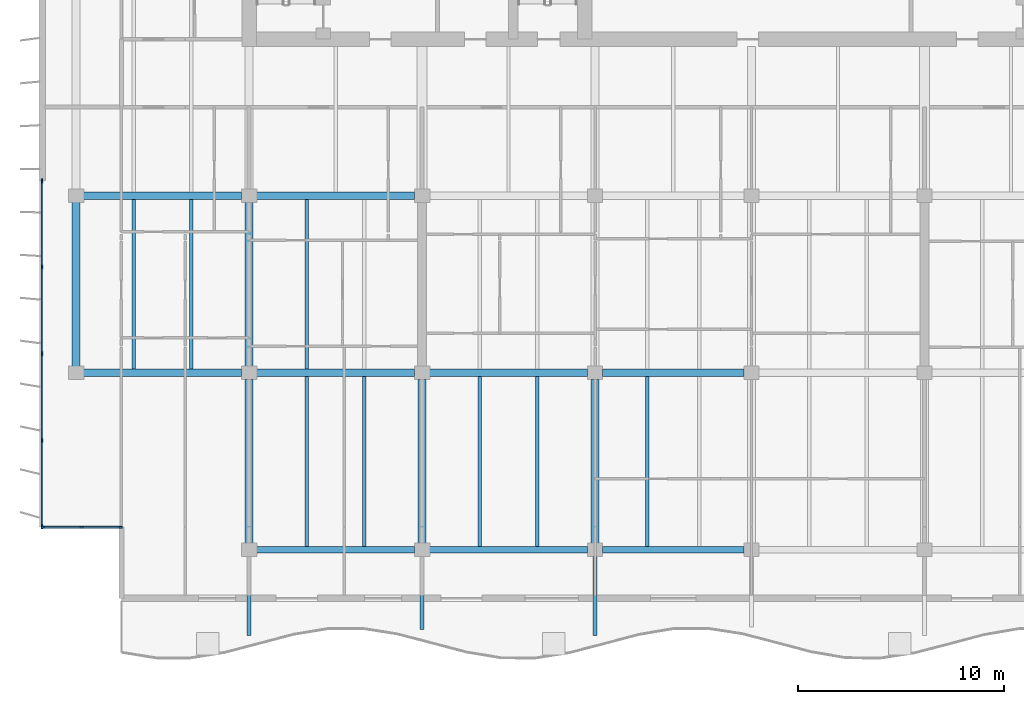
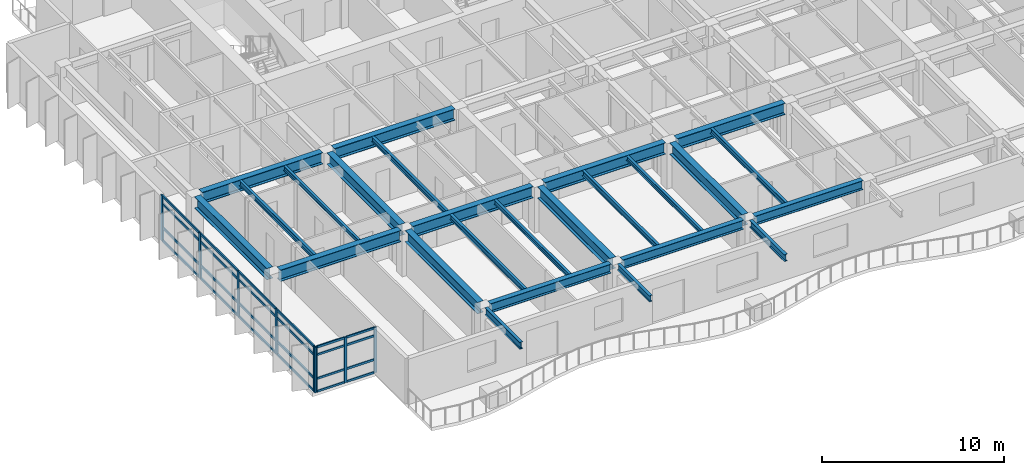
# One storey, part 2 of 17: 32 members, 25 beams, 2 elements without a shape of their own.
"""IFC4 building model written with IfcOpenShell, lengths in metres."""

import ifcopenshell
import ifcopenshell.guid

model = None  # the IFC model being written
_history = None  # IfcOwnerHistory: only IFC2X3 demands one
_inside = {}  # id of a spatial element -> (the spatial element, [elements in it])
_under = {}  # id of a project, library or spatial element -> (it, [spatial elements below it])
_declared = {}  # id of a project -> (the project, [libraries it declares])
_typed = {}  # id of a type object -> (the type object, [elements of that type])
_made_of = {}  # id of a material, layer set ... -> (it, [elements and type objects made of it])


def new_model(schema):
    """Start an empty IFC model of exactly this schema.

    Asked for "IFC4X3", IfcOpenShell would pick the latest addendum, in which some entities
    have other attributes; the version numbers below select the first issue.
    IFC2X3 requires an IfcOwnerHistory on every rooted entity: one is made here for all.
    """
    global model, _history
    if schema == "IFC4X3":
        model = ifcopenshell.file(schema_version=(4, 3, 0, 0))
    else:
        model = ifcopenshell.file(schema=schema)
    _inside.clear()
    _under.clear()
    _declared.clear()
    _typed.clear()
    _made_of.clear()
    _history = None
    if model.schema == "IFC2X3":
        org = make("IfcOrganization", Name="unknown")
        user = make(
            "IfcPersonAndOrganization",
            ThePerson=make("IfcPerson", FamilyName="unknown"),
            TheOrganization=org,
        )
        app = make(
            "IfcApplication",
            ApplicationDeveloper=org,
            Version="unknown",
            ApplicationFullName="unknown",
            ApplicationIdentifier="unknown",
        )
        _history = make(
            "IfcOwnerHistory",
            OwningUser=user,
            OwningApplication=app,
            ChangeAction="ADDED",
            CreationDate=0,
        )
    return model


def make(cls, **values):
    """One entity of the class cls with the attributes given. An attribute that is None is left unset."""
    return model.create_entity(
        cls, **{name: value for name, value in values.items() if value is not None}
    )


def rooted(cls, **values):
    """An entity with a GlobalId (a new one), such as an element, a storey or a relation."""
    return make(cls, GlobalId=ifcopenshell.guid.new(), OwnerHistory=_history, **values)


def si_unit(unit_type, name, prefix=None):
    """IfcSIUnit, for example si_unit("LENGTHUNIT", "METRE", prefix="MILLI")."""
    return make("IfcSIUnit", UnitType=unit_type, Prefix=prefix, Name=name)


def assignment(units):
    """IfcUnitAssignment: the units of a project."""
    return None if units is None else make("IfcUnitAssignment", Units=units)


def point(xyz):
    """IfcCartesianPoint."""
    return None if xyz is None else make("IfcCartesianPoint", Coordinates=xyz)


def direction(xyz):
    """IfcDirection."""
    return None if xyz is None else make("IfcDirection", DirectionRatios=xyz)


def frame(location, z_axis=None, x_axis=None):
    """IfcAxis2Placement3D, a coordinate frame: its origin and axes. An axis left out is left unset."""
    return make(
        "IfcAxis2Placement3D",
        Location=point(location),
        Axis=direction(z_axis),
        RefDirection=direction(x_axis),
    )


def frame_2d(location, x_axis=None):
    """IfcAxis2Placement2D, a coordinate frame in the plane: its origin and x axis."""
    return make(
        "IfcAxis2Placement2D", Location=point(location), RefDirection=direction(x_axis)
    )


def origin():
    """The frame at (0, 0, 0) with its axes left unset."""
    return frame((0.0, 0.0, 0.0))


def origin_2d():
    """The frame at (0, 0) in the plane with its x axis left unset."""
    return frame_2d((0.0, 0.0))


def place(relative_to, where):
    """IfcLocalPlacement: puts the frame where relative to a parent placement (None: the world)."""
    return make(
        "IfcLocalPlacement", PlacementRelTo=relative_to, RelativePlacement=where
    )


def context(
    kind, dimensions, precision=None, world=None, true_north=None, identifier=None
):
    """IfcGeometricRepresentationContext, for example the 3D "Model" context."""
    return make(
        "IfcGeometricRepresentationContext",
        ContextIdentifier=identifier,
        ContextType=kind,
        CoordinateSpaceDimension=dimensions,
        Precision=precision,
        WorldCoordinateSystem=world,
        TrueNorth=true_north,
    )


def subcontext(parent, identifier, kind, view, scale=None):
    """IfcGeometricRepresentationSubContext, for example "Body" below "Model"."""
    return make(
        "IfcGeometricRepresentationSubContext",
        ContextIdentifier=identifier,
        ContextType=kind,
        ParentContext=parent,
        TargetScale=scale,
        TargetView=view,
    )


def project(units=None, contexts=None):
    """IfcProject with its units and contexts."""
    return rooted(
        "IfcProject",
        Name="project",
        RepresentationContexts=contexts,
        UnitsInContext=assignment(units),
    )


def spatial(cls, under=None, at=None, **own):
    """A site, building, storey or space (cls), placed at a placement, below another one or the project."""
    s = rooted(cls, ObjectPlacement=at, **own)
    if under is not None:
        _under.setdefault(under.id(), (under, []))[1].append(s)
    return s


def profile(cls, at=None, kind="AREA", **sizes):
    """A parametric profile (cls). Its sizes go by their IFC names, for example OverallWidth=200.0."""
    return make(cls, ProfileType=kind, Position=at, **sizes)


def rectangle(**sizes):
    """IfcRectangleProfileDef."""
    return profile("IfcRectangleProfileDef", **sizes)


def i_section(**sizes):
    """IfcIShapeProfileDef."""
    return profile("IfcIShapeProfileDef", **sizes)


def extrude(swept, where, along, depth):
    """IfcExtrudedAreaSolid: the profile swept, set in the frame where, extruded along a direction by depth."""
    return make(
        "IfcExtrudedAreaSolid",
        SweptArea=swept,
        Position=where,
        ExtrudedDirection=direction(along),
        Depth=depth,
    )


def shape(context_of_items, identifier, shape_type, items):
    """IfcShapeRepresentation: the items that make up one representation, for example the "Body"."""
    return make(
        "IfcShapeRepresentation",
        ContextOfItems=context_of_items,
        RepresentationIdentifier=identifier,
        RepresentationType=shape_type,
        Items=items,
    )


def material(Name=None, Category=None):
    """IfcMaterial."""
    return make("IfcMaterial", Name=Name, Category=Category)


def layer(
    of_material, thickness, ventilated=None, Name=None, Category=None, Priority=None
):
    """IfcMaterialLayer: one layer of a wall or slab, of a material (None: an air gap)."""
    return make(
        "IfcMaterialLayer",
        Material=of_material,
        LayerThickness=thickness,
        IsVentilated=ventilated,
        Name=Name,
        Category=Category,
        Priority=Priority,
    )


def layer_set(layers, Name=None):
    """IfcMaterialLayerSet."""
    return make("IfcMaterialLayerSet", MaterialLayers=layers, LayerSetName=Name)


def material_profile(
    of_material, cross_section, Name=None, Category=None, Priority=None
):
    """IfcMaterialProfile: a cross section and its material."""
    return make(
        "IfcMaterialProfile",
        Name=Name,
        Material=of_material,
        Profile=cross_section,
        Priority=Priority,
        Category=Category,
    )


def profile_set(profiles, Name=None, composite=None):
    """IfcMaterialProfileSet."""
    return make(
        "IfcMaterialProfileSet",
        Name=Name,
        MaterialProfiles=profiles,
        CompositeProfile=composite,
    )


def made_of(thing, what):
    """Note that an element or type object is made of a material, layer set ...; save() writes the relation."""
    if what is not None:
        _made_of.setdefault(what.id(), (what, []))[1].append(thing)
    return thing


def type_object(cls, material=None, **own):
    """A type object (cls), such as IfcWallType, which elements share."""
    return made_of(rooted(cls, **own), material)


def element(
    cls,
    number,
    at=None,
    inside=None,
    cuts=None,
    type_object=None,
    material=None,
    context=None,
    identifier="Body",
    shape_type=None,
    held_by="IfcProductDefinitionShape",
    body=None,
    shapes=None,
    **own,
):
    """One element of the class cls, such as IfcWall. Its Tag is "e" and its number.

    at: its placement. inside: the storey or other place that contains it. cuts: it is an
    opening in that element (IfcRelVoidsElement). A single representation is given by context,
    identifier, shape_type and body (its items); several are given by shapes. held_by: the class
    of the entity that holds the representations. save() writes the other relations.
    """
    e = rooted(cls, Tag="e%d" % number, ObjectPlacement=at, **own)
    if body is not None:
        shapes = [shape(context, identifier, shape_type, body)]
    if shapes is not None:
        e.Representation = make(held_by, Representations=shapes)
    if inside is not None:
        _inside.setdefault(inside.id(), (inside, []))[1].append(e)
    if cuts is not None:
        rooted(
            "IfcRelVoidsElement", RelatingBuildingElement=cuts, RelatedOpeningElement=e
        )
    if type_object is not None:
        _typed.setdefault(type_object.id(), (type_object, []))[1].append(e)
    return made_of(e, material)


def aggregate(whole, parts):
    """IfcRelAggregates: a whole, such as a stair, and the parts it consists of."""
    return rooted("IfcRelAggregates", RelatingObject=whole, RelatedObjects=parts)


def save(model, path):
    """Write the relations noted so far, then the file.

    IfcRelAggregates (storeys below a building ...), IfcRelContainedInSpatialStructure (elements
    in a storey), IfcRelDefinesByType, IfcRelAssociatesMaterial and IfcRelDeclares: one each for
    every whole, place, type object, material and project.
    """
    for whole, parts in _under.values():
        aggregate(whole, parts)
    for where, things in _inside.values():
        rooted(
            "IfcRelContainedInSpatialStructure",
            RelatedElements=things,
            RelatingStructure=where,
        )
    for kind, things in _typed.values():
        rooted("IfcRelDefinesByType", RelatedObjects=things, RelatingType=kind)
    for what, things in _made_of.values():
        rooted("IfcRelAssociatesMaterial", RelatedObjects=things, RelatingMaterial=what)
    for by, libraries in _declared.values():
        rooted("IfcRelDeclares", RelatingContext=by, RelatedDefinitions=libraries)
    model.write(path)


model = new_model("IFC4")

# Units and contexts
model_context = context("Model", 3, precision=1e-05, world=origin(), true_north=direction((0.0, 1.0)))
body_context = subcontext(model_context, "Body", "Model", "MODEL_VIEW")
ifc_project = project(units=[si_unit("LENGTHUNIT", "METRE"), si_unit("AREAUNIT", "SQUARE_METRE"), si_unit("VOLUMEUNIT", "CUBIC_METRE"), si_unit("PLANEANGLEUNIT", "RADIAN"), si_unit("MASSUNIT", "GRAM", prefix="KILO")], contexts=[model_context])

# Site, building, storey
site_placement = place(None, origin())
site = spatial("IfcSite", under=ifc_project, at=site_placement, CompositionType="ELEMENT")
building_placement = place(site_placement, origin())
building = spatial("IfcBuilding", under=site, at=building_placement, Name="Caelmar Bay Residences", CompositionType="ELEMENT")
storey_placement = place(building_placement, frame((0.0, 0.0, 243.0)))
storey = spatial("IfcBuildingStorey", under=building, at=storey_placement, Name="L68", CompositionType="ELEMENT", Elevation=243.0)

# Beams
ifc_material_1 = material(Name="Steel ASTM A992 Grade 50", Category="steel")
ifc_material_profile_1 = material_profile(ifc_material_1, i_section(OverallWidth=0.177978515625, OverallDepth=0.406005859375, WebThickness=0.0078125, FlangeThickness=0.0126953125, FilletRadius=0.0087890625, at=origin_2d()), Name="W16X40")
ifc_profile_set_1 = profile_set([ifc_material_profile_1], Name="Steel ASTM A992 Grade 50")
beam_type_1 = type_object("IfcBeamType", Name="BM-BAL-W16X40", PredefinedType="JOIST", material=ifc_profile_set_1)
beam_1_placement = place(storey_placement, frame((26.699951171875, 11.885009765625, 2.846923828125), z_axis=(0.0, -1.0, 0.0), x_axis=(1.0, 0.0, 0.0)))
element("IfcBeam", 1, at=beam_1_placement, inside=storey, type_object=beam_type_1, Name="L69 South Balcony Cantilever Bracket 2", PredefinedType="JOIST", context=body_context, shape_type="SweptSolid", body=[
    extrude(i_section(OverallWidth=0.177978515625, OverallDepth=0.406005859375, WebThickness=0.0078125, FlangeThickness=0.0126953125, FilletRadius=0.0087890625, at=origin_2d()), origin(), (0.0, 0.0, 1.0), 3.55517578125),
])
ifc_material_profile_2 = material_profile(ifc_material_1, i_section(OverallWidth=0.193115234375, OverallDepth=0.467041015625, WebThickness=0.011474609375, FlangeThickness=0.01904296875, FilletRadius=0.01025390625, at=origin_2d()), Name="W18X65")
ifc_profile_set_2 = profile_set([ifc_material_profile_2], Name="Steel ASTM A992 Grade 50")
beam_type_2 = type_object("IfcBeamType", Name="BM-BAL-W18X65", PredefinedType="BEAM", material=ifc_profile_set_2)
for number, where, z_axis, x_axis, name in (
    (2, (18.300048828125, 11.885009765625, 2.81640625), (0.0, -1.0, 0.0), (1.0, 0.0, 0.0), "L69 South Balcony Cantilever Bracket 1"),
    (3, (35.10009765625, 11.885009765625, 2.81640625), (0.0, -1.0, 0.0), (1.0, 0.0, 0.0), "L69 South Balcony Cantilever Bracket 3"),
):
    element("IfcBeam", number, at=place(storey_placement, frame(where, z_axis=z_axis, x_axis=x_axis)), inside=storey, type_object=beam_type_2, Name=name, PredefinedType="BEAM", context=body_context, shape_type="SweptSolid", body=[
        extrude(i_section(OverallWidth=0.193115234375, OverallDepth=0.467041015625, WebThickness=0.011474609375, FlangeThickness=0.01904296875, FilletRadius=0.01025390625, at=origin_2d()), origin(), (0.0, 0.0, 1.0), 3.85009765625),
    ])
ifc_material_profile_3 = material_profile(ifc_material_1, i_section(OverallWidth=0.381103515625, OverallDepth=0.77197265625, WebThickness=0.0166015625, FlangeThickness=0.027099609375, FilletRadius=0.0166015625, at=origin_2d()), Name="W30X173")
ifc_profile_set_3 = profile_set([ifc_material_profile_3], Name="Steel ASTM A992 Grade 50")
beam_type_3 = type_object("IfcBeamType", Name="BM-GRD-W30X173", PredefinedType="BEAM", material=ifc_profile_set_3)
beam_2_placement = place(storey_placement, frame((10.264892578125, 20.800048828125, 2.6640625), z_axis=(1.0, 0.0, 0.0), x_axis=(0.0, 1.0, 0.0)))
element("IfcBeam", 4, at=beam_2_placement, inside=storey, type_object=beam_type_3, Name="L68 East-West Girder Y=20.80 (9.9-18.3)", PredefinedType="BEAM", context=body_context, shape_type="SweptSolid", body=[
    extrude(i_section(OverallWidth=0.381103515625, OverallDepth=0.77197265625, WebThickness=0.0166015625, FlangeThickness=0.027099609375, FilletRadius=0.0166015625, at=origin_2d()), origin(), (0.0, 0.0, 1.0), 7.670166015625),
])
beam_3_placement = place(storey_placement, frame((18.6650390625, 20.800048828125, 2.6640625), z_axis=(1.0, 0.0, 0.0), x_axis=(0.0, 1.0, 0.0)))
element("IfcBeam", 5, at=beam_3_placement, inside=storey, type_object=beam_type_3, Name="L68 East-West Girder Y=20.80 (18.3-26.7)", PredefinedType="BEAM", context=body_context, shape_type="SweptSolid", body=[
    extrude(i_section(OverallWidth=0.381103515625, OverallDepth=0.77197265625, WebThickness=0.0166015625, FlangeThickness=0.027099609375, FilletRadius=0.0166015625, at=origin_2d()), origin(), (0.0, 0.0, 1.0), 7.669921875),
])
beam_4_placement = place(storey_placement, frame((27.06494140625, 20.800048828125, 2.6640625), z_axis=(1.0, 0.0, 0.0), x_axis=(0.0, 1.0, 0.0)))
element("IfcBeam", 6, at=beam_4_placement, inside=storey, type_object=beam_type_3, Name="L68 East-West Girder Y=20.80 (26.7-35.1)", PredefinedType="BEAM", context=body_context, shape_type="SweptSolid", body=[
    extrude(i_section(OverallWidth=0.381103515625, OverallDepth=0.77197265625, WebThickness=0.0166015625, FlangeThickness=0.027099609375, FilletRadius=0.0166015625, at=origin_2d()), origin(), (0.0, 0.0, 1.0), 7.670166015625),
])
beam_5_placement = place(storey_placement, frame((35.465087890625, 20.800048828125, 2.6640625), z_axis=(1.0, 0.0, 0.0), x_axis=(0.0, 1.0, 0.0)))
element("IfcBeam", 7, at=beam_5_placement, inside=storey, type_object=beam_type_3, Name="L68 East-West Girder Y=20.80 (35.1-42.7)", PredefinedType="BEAM", context=body_context, shape_type="SweptSolid", body=[
    extrude(i_section(OverallWidth=0.381103515625, OverallDepth=0.77197265625, WebThickness=0.0166015625, FlangeThickness=0.027099609375, FilletRadius=0.0166015625, at=origin_2d()), origin(), (0.0, 0.0, 1.0), 6.869873046875),
])
beam_6_placement = place(storey_placement, frame((10.264892578125, 29.39990234375, 2.6640625), z_axis=(1.0, 0.0, 0.0), x_axis=(0.0, 1.0, 0.0)))
element("IfcBeam", 8, at=beam_6_placement, inside=storey, type_object=beam_type_3, Name="L68 East-West Girder Y=29.40 (9.9-18.3)", PredefinedType="BEAM", context=body_context, shape_type="SweptSolid", body=[
    extrude(i_section(OverallWidth=0.381103515625, OverallDepth=0.77197265625, WebThickness=0.0166015625, FlangeThickness=0.027099609375, FilletRadius=0.0166015625, at=origin_2d()), origin(), (0.0, 0.0, 1.0), 7.670166015625),
])
beam_7_placement = place(storey_placement, frame((18.6650390625, 29.39990234375, 2.6640625), z_axis=(1.0, 0.0, 0.0), x_axis=(0.0, 1.0, 0.0)))
element("IfcBeam", 9, at=beam_7_placement, inside=storey, type_object=beam_type_3, Name="L68 East-West Girder Y=29.40 (18.3-26.7)", PredefinedType="BEAM", context=body_context, shape_type="SweptSolid", body=[
    extrude(i_section(OverallWidth=0.381103515625, OverallDepth=0.77197265625, WebThickness=0.0166015625, FlangeThickness=0.027099609375, FilletRadius=0.0166015625, at=origin_2d()), origin(), (0.0, 0.0, 1.0), 7.669921875),
])
beam_8_placement = place(storey_placement, frame((9.89990234375, 21.114990234375, 2.6640625), z_axis=(0.0, 1.0, 0.0), x_axis=(-1.0, 0.0, 0.0)))
element("IfcBeam", 10, at=beam_8_placement, inside=storey, type_object=beam_type_3, Name="L68 North-South Girder X=9.90 (20.8-29.4)", PredefinedType="BEAM", context=body_context, shape_type="SweptSolid", body=[
    extrude(i_section(OverallWidth=0.381103515625, OverallDepth=0.77197265625, WebThickness=0.0166015625, FlangeThickness=0.027099609375, FilletRadius=0.0166015625, at=origin_2d()), origin(), (0.0, 0.0, 1.0), 7.969970703125),
])
beam_9_placement = place(storey_placement, frame((18.300048828125, 12.514892578125, 2.6640625), z_axis=(0.0, 1.0, 0.0), x_axis=(-1.0, 0.0, 0.0)))
element("IfcBeam", 11, at=beam_9_placement, inside=storey, type_object=beam_type_3, Name="L68 North-South Girder X=18.30 (12.2-20.8)", PredefinedType="BEAM", context=body_context, shape_type="SweptSolid", body=[
    extrude(i_section(OverallWidth=0.381103515625, OverallDepth=0.77197265625, WebThickness=0.0166015625, FlangeThickness=0.027099609375, FilletRadius=0.0166015625, at=origin_2d()), origin(), (0.0, 0.0, 1.0), 7.97021484375),
])
beam_10_placement = place(storey_placement, frame((18.300048828125, 21.114990234375, 2.6640625), z_axis=(0.0, 1.0, 0.0), x_axis=(-1.0, 0.0, 0.0)))
element("IfcBeam", 12, at=beam_10_placement, inside=storey, type_object=beam_type_3, Name="L68 North-South Girder X=18.30 (20.8-29.4)", PredefinedType="BEAM", context=body_context, shape_type="SweptSolid", body=[
    extrude(i_section(OverallWidth=0.381103515625, OverallDepth=0.77197265625, WebThickness=0.0166015625, FlangeThickness=0.027099609375, FilletRadius=0.0166015625, at=origin_2d()), origin(), (0.0, 0.0, 1.0), 7.969970703125),
])
for number, where, z_axis, x_axis, name in (
    (13, (26.699951171875, 12.514892578125, 2.6640625), (0.0, 1.0, 0.0), (-1.0, 0.0, 0.0), "L68 North-South Girder X=26.70 (12.2-20.8)"),
    (14, (35.10009765625, 12.514892578125, 2.6640625), (0.0, 1.0, 0.0), (-1.0, 0.0, 0.0), "L68 North-South Girder X=35.10 (12.2-20.8)"),
):
    element("IfcBeam", number, at=place(storey_placement, frame(where, z_axis=z_axis, x_axis=x_axis)), inside=storey, type_object=beam_type_3, Name=name, PredefinedType="BEAM", context=body_context, shape_type="SweptSolid", body=[
        extrude(i_section(OverallWidth=0.381103515625, OverallDepth=0.77197265625, WebThickness=0.0166015625, FlangeThickness=0.027099609375, FilletRadius=0.0166015625, at=origin_2d()), origin(), (0.0, 0.0, 1.0), 7.97021484375),
    ])
ifc_material_profile_4 = material_profile(ifc_material_1, i_section(OverallWidth=0.1650390625, OverallDepth=0.31005859375, WebThickness=0.005859375, FlangeThickness=0.009765625, FilletRadius=0.007568359375, at=origin_2d()), Name="W12X26")
ifc_profile_set_4 = profile_set([ifc_material_profile_4], Name="Steel ASTM A992 Grade 50")
beam_type_4 = type_object("IfcBeamType", Name="BM-JST-W12X26", PredefinedType="JOIST", material=ifc_profile_set_4)
for number, where, z_axis, x_axis, name in (
    (15, (23.89990234375, 12.362548828125, 2.89501953125), (0.0, 1.0, 0.0), (-1.0, 0.0, 0.0), "L68 Composite Floor Joist 2"),
    (16, (32.300048828125, 12.362548828125, 2.89501953125), (0.0, 1.0, 0.0), (-1.0, 0.0, 0.0), "L68 Composite Floor Joist 4"),
):
    element("IfcBeam", number, at=place(storey_placement, frame(where, z_axis=z_axis, x_axis=x_axis)), inside=storey, type_object=beam_type_4, Name=name, PredefinedType="JOIST", context=body_context, shape_type="SweptSolid", body=[
        extrude(i_section(OverallWidth=0.1650390625, OverallDepth=0.31005859375, WebThickness=0.005859375, FlangeThickness=0.009765625, FilletRadius=0.007568359375, at=origin_2d()), origin(), (0.0, 0.0, 1.0), 8.2470703125),
    ])
beam_11_placement = place(storey_placement, frame((15.5, 20.990478515625, 2.89501953125), z_axis=(0.0, 1.0, 0.0), x_axis=(-1.0, 0.0, 0.0)))
element("IfcBeam", 17, at=beam_11_placement, inside=storey, type_object=beam_type_4, Name="L68 Composite Floor Joist 12", PredefinedType="JOIST", context=body_context, shape_type="SweptSolid", body=[
    extrude(i_section(OverallWidth=0.1650390625, OverallDepth=0.31005859375, WebThickness=0.005859375, FlangeThickness=0.009765625, FilletRadius=0.007568359375, at=origin_2d()), origin(), (0.0, 0.0, 1.0), 8.218994140625),
])
ifc_material_profile_5 = material_profile(ifc_material_1, i_section(OverallWidth=0.1708984375, OverallDepth=0.35595703125, WebThickness=0.007080078125, FlangeThickness=0.01171875, FilletRadius=0.007568359375, at=origin_2d()), Name="W14X34")
ifc_profile_set_5 = profile_set([ifc_material_profile_5], Name="Steel ASTM A992 Grade 50")
beam_type_5 = type_object("IfcBeamType", Name="BM-JST-W14X34", PredefinedType="JOIST", material=ifc_profile_set_5)
for number, where, z_axis, x_axis, name in (
    (18, (21.10009765625, 12.362548828125, 2.8720703125), (0.0, 1.0, 0.0), (-1.0, 0.0, 0.0), "L68 Composite Floor Joist 1"),
    (19, (29.5, 12.362548828125, 2.8720703125), (0.0, 1.0, 0.0), (-1.0, 0.0, 0.0), "L68 Composite Floor Joist 3"),
    (20, (37.63330078125, 12.362548828125, 2.8720703125), (0.0, 1.0, 0.0), (-1.0, 0.0, 0.0), "L68 Composite Floor Joist 5"),
):
    element("IfcBeam", number, at=place(storey_placement, frame(where, z_axis=z_axis, x_axis=x_axis)), inside=storey, type_object=beam_type_5, Name=name, PredefinedType="JOIST", context=body_context, shape_type="SweptSolid", body=[
        extrude(i_section(OverallWidth=0.1708984375, OverallDepth=0.35595703125, WebThickness=0.007080078125, FlangeThickness=0.01171875, FilletRadius=0.007568359375, at=origin_2d()), origin(), (0.0, 0.0, 1.0), 8.2470703125),
    ])
for number, where, z_axis, x_axis, name in (
    (21, (12.699951171875, 20.990478515625, 2.8720703125), (0.0, 1.0, 0.0), (-1.0, 0.0, 0.0), "L68 Composite Floor Joist 11"),
    (22, (21.10009765625, 20.990478515625, 2.8720703125), (0.0, 1.0, 0.0), (-1.0, 0.0, 0.0), "L68 Composite Floor Joist 13"),
):
    element("IfcBeam", number, at=place(storey_placement, frame(where, z_axis=z_axis, x_axis=x_axis)), inside=storey, type_object=beam_type_5, Name=name, PredefinedType="JOIST", context=body_context, shape_type="SweptSolid", body=[
        extrude(i_section(OverallWidth=0.1708984375, OverallDepth=0.35595703125, WebThickness=0.007080078125, FlangeThickness=0.01171875, FilletRadius=0.007568359375, at=origin_2d()), origin(), (0.0, 0.0, 1.0), 8.218994140625),
    ])
ifc_material_profile_6 = material_profile(ifc_material_1, i_section(OverallWidth=0.324951171875, OverallDepth=0.616943359375, WebThickness=0.013916015625, FlangeThickness=0.021484375, FilletRadius=0.0126953125, at=origin_2d()), Name="W24X117")
ifc_profile_set_6 = profile_set([ifc_material_profile_6], Name="Steel ASTM A992 Grade 50")
beam_type_6 = type_object("IfcBeamType", Name="BM-SPN-W24X117", PredefinedType="SPANDREL", material=ifc_profile_set_6)
beam_12_placement = place(storey_placement, frame((18.6650390625, 12.199951171875, 2.741455078125), z_axis=(1.0, 0.0, 0.0), x_axis=(0.0, 1.0, 0.0)))
element("IfcBeam", 23, at=beam_12_placement, inside=storey, type_object=beam_type_6, Name="L68 East-West Girder Y=12.20 (18.3-26.7)", PredefinedType="SPANDREL", context=body_context, shape_type="SweptSolid", body=[
    extrude(i_section(OverallWidth=0.324951171875, OverallDepth=0.616943359375, WebThickness=0.013916015625, FlangeThickness=0.021484375, FilletRadius=0.0126953125, at=origin_2d()), origin(), (0.0, 0.0, 1.0), 7.669921875),
])
beam_13_placement = place(storey_placement, frame((27.06494140625, 12.199951171875, 2.741455078125), z_axis=(1.0, 0.0, 0.0), x_axis=(0.0, 1.0, 0.0)))
element("IfcBeam", 24, at=beam_13_placement, inside=storey, type_object=beam_type_6, Name="L68 East-West Girder Y=12.20 (26.7-35.1)", PredefinedType="SPANDREL", context=body_context, shape_type="SweptSolid", body=[
    extrude(i_section(OverallWidth=0.324951171875, OverallDepth=0.616943359375, WebThickness=0.013916015625, FlangeThickness=0.021484375, FilletRadius=0.0126953125, at=origin_2d()), origin(), (0.0, 0.0, 1.0), 7.670166015625),
])
beam_14_placement = place(storey_placement, frame((35.465087890625, 12.199951171875, 2.741455078125), z_axis=(1.0, 0.0, 0.0), x_axis=(0.0, 1.0, 0.0)))
element("IfcBeam", 25, at=beam_14_placement, inside=storey, type_object=beam_type_6, Name="L68 East-West Girder Y=12.20 (35.1-42.7)", PredefinedType="SPANDREL", context=body_context, shape_type="SweptSolid", body=[
    extrude(i_section(OverallWidth=0.324951171875, OverallDepth=0.616943359375, WebThickness=0.013916015625, FlangeThickness=0.021484375, FilletRadius=0.0126953125, at=origin_2d()), origin(), (0.0, 0.0, 1.0), 6.869873046875),
])

# Curtain wall, members
ifc_material_2 = material(Name="Anodised bronze aluminium 6063-T6 and laminated glass", Category="aluminium")
ifc_layer_1 = layer(ifc_material_2, 0.179931640625)
ifc_layer_set_1 = layer_set([ifc_layer_1], Name="Anodised bronze aluminium 6063-T6 and laminated glass")
curtain_wall_type_1 = type_object("IfcCurtainWallType", Name="CW6-NTC", PredefinedType="NOTDEFINED", material=ifc_layer_set_1)
curtain_wall_1_placement = place(storey_placement, origin())
curtain_wall_1 = element("IfcCurtainWall", 26, at=curtain_wall_1_placement, inside=storey, type_object=curtain_wall_type_1, Name="CW6 curtain wall L68", PredefinedType="NOTDEFINED")
ifc_material_3 = material(Name="Anodised bronze aluminium 6063-T6", Category="aluminium")
ifc_material_profile_7 = material_profile(ifc_material_3, rectangle(XDim=0.080078125, YDim=0.179931640625, at=origin_2d()), Name="CWM-80X180")
ifc_profile_set_7 = profile_set([ifc_material_profile_7], Name="Anodised bronze aluminium 6063-T6")
member_type_1 = type_object("IfcMemberType", Name="CWM-180", PredefinedType="MULLION", material=ifc_profile_set_7)
member_1_placement = place(storey_placement, frame((8.2900390625, 13.300048828125, 0.0), z_axis=(0.0, 0.0, 1.0), x_axis=(0.0, 1.0, 0.0)))
member_1 = element("IfcMember", 27, at=member_1_placement, type_object=member_type_1, Name="CW6 mullion 1", PredefinedType="MULLION", context=body_context, shape_type="SweptSolid", body=[
    extrude(rectangle(XDim=0.080078125, YDim=0.179931640625, at=origin_2d()), origin(), (0.0, 0.0, 1.0), 3.050048828125),
])
member_2_placement = place(storey_placement, frame((10.175048828125, 13.300048828125, 0.0), z_axis=(0.0, 0.0, 1.0), x_axis=(0.0, 1.0, 0.0)))
member_2 = element("IfcMember", 28, at=member_2_placement, type_object=member_type_1, Name="CW6 mullion 2", PredefinedType="MULLION", context=body_context, shape_type="SweptSolid", body=[
    extrude(rectangle(XDim=0.080078125, YDim=0.179931640625, at=origin_2d()), origin(), (0.0, 0.0, 1.0), 3.050048828125),
])
member_3_placement = place(storey_placement, frame((12.06005859375, 13.300048828125, 0.0), z_axis=(0.0, 0.0, 1.0), x_axis=(0.0, 1.0, 0.0)))
member_3 = element("IfcMember", 29, at=member_3_placement, type_object=member_type_1, Name="CW6 mullion 3", PredefinedType="MULLION", context=body_context, shape_type="SweptSolid", body=[
    extrude(rectangle(XDim=0.080078125, YDim=0.179931640625, at=origin_2d()), origin(), (0.0, 0.0, 1.0), 3.050048828125),
])

ifc_layer_2 = layer(ifc_material_2, 0.179931640625)
ifc_layer_set_2 = layer_set([ifc_layer_2], Name="Anodised bronze aluminium 6063-T6 and laminated glass")
curtain_wall_type_2 = type_object("IfcCurtainWallType", Name="CW5-Z4", PredefinedType="NOTDEFINED", material=ifc_layer_set_2)
curtain_wall_2_placement = place(storey_placement, origin())
curtain_wall_2 = element("IfcCurtainWall", 30, at=curtain_wall_2_placement, inside=storey, type_object=curtain_wall_type_2, Name="CW5 curtain wall L68", PredefinedType="NOTDEFINED")
ifc_material_profile_8 = material_profile(ifc_material_3, rectangle(XDim=0.080078125, YDim=0.219970703125, at=origin_2d()), Name="CWM-80X220")
ifc_profile_set_8 = profile_set([ifc_material_profile_8], Name="Anodised bronze aluminium 6063-T6")
member_type_2 = type_object("IfcMemberType", Name="CWM-220", PredefinedType="MULLION", material=ifc_profile_set_8)
member_4_placement = place(storey_placement, frame((8.25, 13.340087890625, 0.0), z_axis=(0.0, 0.0, 1.0), x_axis=(-1.0, 0.0, 0.0)))
member_4 = element("IfcMember", 31, at=member_4_placement, type_object=member_type_2, Name="CW5 mullion 1", PredefinedType="MULLION", context=body_context, shape_type="SweptSolid", body=[
    extrude(rectangle(XDim=0.080078125, YDim=0.219970703125, at=origin_2d()), origin(), (0.0, 0.0, 1.0), 3.050048828125),
])
member_5_placement = place(storey_placement, frame((8.25, 17.512451171875, 0.0), z_axis=(0.0, 0.0, 1.0), x_axis=(-1.0, 0.0, 0.0)))
member_5 = element("IfcMember", 32, at=member_5_placement, type_object=member_type_2, Name="CW5 mullion 2", PredefinedType="MULLION", context=body_context, shape_type="SweptSolid", body=[
    extrude(rectangle(XDim=0.080078125, YDim=0.219970703125, at=origin_2d()), origin(), (0.0, 0.0, 1.0), 3.050048828125),
])
member_6_placement = place(storey_placement, frame((8.25, 21.72509765625, 0.0), z_axis=(0.0, 0.0, 1.0), x_axis=(-1.0, 0.0, 0.0)))
member_6 = element("IfcMember", 33, at=member_6_placement, type_object=member_type_2, Name="CW5 mullion 3", PredefinedType="MULLION", context=body_context, shape_type="SweptSolid", body=[
    extrude(rectangle(XDim=0.080078125, YDim=0.219970703125, at=origin_2d()), origin(), (0.0, 0.0, 1.0), 3.050048828125),
])
member_7_placement = place(storey_placement, frame((8.25, 25.9375, 0.0), z_axis=(0.0, 0.0, 1.0), x_axis=(-1.0, 0.0, 0.0)))
member_7 = element("IfcMember", 34, at=member_7_placement, type_object=member_type_2, Name="CW5 mullion 4", PredefinedType="MULLION", context=body_context, shape_type="SweptSolid", body=[
    extrude(rectangle(XDim=0.080078125, YDim=0.219970703125, at=origin_2d()), origin(), (0.0, 0.0, 1.0), 3.050048828125),
])
member_8_placement = place(storey_placement, frame((8.25, 30.110107421875, 0.0), z_axis=(0.0, 0.0, 1.0), x_axis=(-1.0, 0.0, 0.0)))
member_8 = element("IfcMember", 35, at=member_8_placement, type_object=member_type_2, Name="CW5 mullion 5", PredefinedType="MULLION", context=body_context, shape_type="SweptSolid", body=[
    extrude(rectangle(XDim=0.080078125, YDim=0.219970703125, at=origin_2d()), origin(), (0.0, 0.0, 1.0), 3.050048828125),
])

# Member
ifc_material_profile_9 = material_profile(ifc_material_3, rectangle(XDim=0.080078125, YDim=0.139892578125, at=origin_2d()), Name="CWT-80X140")
ifc_profile_set_9 = profile_set([ifc_material_profile_9], Name="Anodised bronze aluminium 6063-T6")
member_type_3 = type_object("IfcMemberType", Name="CWT-140", PredefinedType="NOTDEFINED", material=ifc_profile_set_9)
member_9_placement = place(storey_placement, frame((8.330078125, 13.300048828125, 0.0400390625), z_axis=(1.0, 0.0, 0.0), x_axis=(0.0, 1.0, 0.0)))
member_9 = element("IfcMember", 36, at=member_9_placement, type_object=member_type_3, Name="CW6 transom 1.1", ObjectType="TRANSOM", PredefinedType="USERDEFINED", context=body_context, shape_type="SweptSolid", body=[
    extrude(rectangle(XDim=0.080078125, YDim=0.139892578125, at=origin_2d()), origin(), (0.0, 0.0, 1.0), 1.804931640625),
])

member_10_placement = place(storey_placement, frame((8.330078125, 13.300048828125, 0.89990234375), z_axis=(1.0, 0.0, 0.0), x_axis=(0.0, 1.0, 0.0)))
member_10 = element("IfcMember", 37, at=member_10_placement, type_object=member_type_3, Name="CW6 transom 1.2", ObjectType="TRANSOM", PredefinedType="USERDEFINED", context=body_context, shape_type="SweptSolid", body=[
    extrude(rectangle(XDim=0.080078125, YDim=0.139892578125, at=origin_2d()), origin(), (0.0, 0.0, 1.0), 1.804931640625),
])

member_11_placement = place(storey_placement, frame((8.330078125, 13.300048828125, 2.5), z_axis=(1.0, 0.0, 0.0), x_axis=(0.0, 1.0, 0.0)))
member_11 = element("IfcMember", 38, at=member_11_placement, type_object=member_type_3, Name="CW6 transom 1.3", ObjectType="TRANSOM", PredefinedType="USERDEFINED", context=body_context, shape_type="SweptSolid", body=[
    extrude(rectangle(XDim=0.080078125, YDim=0.139892578125, at=origin_2d()), origin(), (0.0, 0.0, 1.0), 1.804931640625),
])

member_12_placement = place(storey_placement, frame((8.330078125, 13.300048828125, 3.010009765625), z_axis=(1.0, 0.0, 0.0), x_axis=(0.0, 1.0, 0.0)))
member_12 = element("IfcMember", 39, at=member_12_placement, type_object=member_type_3, Name="CW6 transom 1.4", ObjectType="TRANSOM", PredefinedType="USERDEFINED", context=body_context, shape_type="SweptSolid", body=[
    extrude(rectangle(XDim=0.080078125, YDim=0.139892578125, at=origin_2d()), origin(), (0.0, 0.0, 1.0), 1.804931640625),
])

member_13_placement = place(storey_placement, frame((10.215087890625, 13.300048828125, 0.0400390625), z_axis=(1.0, 0.0, 0.0), x_axis=(0.0, 1.0, 0.0)))
member_13 = element("IfcMember", 40, at=member_13_placement, type_object=member_type_3, Name="CW6 transom 2.1", ObjectType="TRANSOM", PredefinedType="USERDEFINED", context=body_context, shape_type="SweptSolid", body=[
    extrude(rectangle(XDim=0.080078125, YDim=0.139892578125, at=origin_2d()), origin(), (0.0, 0.0, 1.0), 1.804931640625),
])

member_14_placement = place(storey_placement, frame((10.215087890625, 13.300048828125, 0.89990234375), z_axis=(1.0, 0.0, 0.0), x_axis=(0.0, 1.0, 0.0)))
member_14 = element("IfcMember", 41, at=member_14_placement, type_object=member_type_3, Name="CW6 transom 2.2", ObjectType="TRANSOM", PredefinedType="USERDEFINED", context=body_context, shape_type="SweptSolid", body=[
    extrude(rectangle(XDim=0.080078125, YDim=0.139892578125, at=origin_2d()), origin(), (0.0, 0.0, 1.0), 1.804931640625),
])

member_15_placement = place(storey_placement, frame((10.215087890625, 13.300048828125, 2.5), z_axis=(1.0, 0.0, 0.0), x_axis=(0.0, 1.0, 0.0)))
member_15 = element("IfcMember", 42, at=member_15_placement, type_object=member_type_3, Name="CW6 transom 2.3", ObjectType="TRANSOM", PredefinedType="USERDEFINED", context=body_context, shape_type="SweptSolid", body=[
    extrude(rectangle(XDim=0.080078125, YDim=0.139892578125, at=origin_2d()), origin(), (0.0, 0.0, 1.0), 1.804931640625),
])

member_16_placement = place(storey_placement, frame((10.215087890625, 13.300048828125, 3.010009765625), z_axis=(1.0, 0.0, 0.0), x_axis=(0.0, 1.0, 0.0)))
member_16 = element("IfcMember", 43, at=member_16_placement, type_object=member_type_3, Name="CW6 transom 2.4", ObjectType="TRANSOM", PredefinedType="USERDEFINED", context=body_context, shape_type="SweptSolid", body=[
    extrude(rectangle(XDim=0.080078125, YDim=0.139892578125, at=origin_2d()), origin(), (0.0, 0.0, 1.0), 1.804931640625),
])

aggregate(curtain_wall_1, [member_1, member_2, member_3, member_9, member_10, member_11, member_12, member_13, member_14, member_15, member_16])

ifc_material_profile_10 = material_profile(ifc_material_3, rectangle(XDim=0.080078125, YDim=0.159912109375, at=origin_2d()), Name="CWT-80X160")
ifc_profile_set_10 = profile_set([ifc_material_profile_10], Name="Anodised bronze aluminium 6063-T6")
member_type_4 = type_object("IfcMemberType", Name="CWT-160", PredefinedType="NOTDEFINED", material=ifc_profile_set_10)
member_17_placement = place(storey_placement, frame((8.25, 13.3798828125, 0.0400390625), z_axis=(0.0, 1.0, 0.0), x_axis=(-1.0, 0.0, 0.0)))
member_17 = element("IfcMember", 44, at=member_17_placement, type_object=member_type_4, Name="CW5 transom 1.1", ObjectType="TRANSOM", PredefinedType="USERDEFINED", context=body_context, shape_type="SweptSolid", body=[
    extrude(rectangle(XDim=0.080078125, YDim=0.159912109375, at=origin_2d()), origin(), (0.0, 0.0, 1.0), 4.092529296875),
])

member_18_placement = place(storey_placement, frame((8.25, 13.3798828125, 0.89990234375), z_axis=(0.0, 1.0, 0.0), x_axis=(-1.0, 0.0, 0.0)))
member_18 = element("IfcMember", 45, at=member_18_placement, type_object=member_type_4, Name="CW5 transom 1.2", ObjectType="TRANSOM", PredefinedType="USERDEFINED", context=body_context, shape_type="SweptSolid", body=[
    extrude(rectangle(XDim=0.080078125, YDim=0.159912109375, at=origin_2d()), origin(), (0.0, 0.0, 1.0), 4.092529296875),
])

member_19_placement = place(storey_placement, frame((8.25, 13.3798828125, 2.5), z_axis=(0.0, 1.0, 0.0), x_axis=(-1.0, 0.0, 0.0)))
member_19 = element("IfcMember", 46, at=member_19_placement, type_object=member_type_4, Name="CW5 transom 1.3", ObjectType="TRANSOM", PredefinedType="USERDEFINED", context=body_context, shape_type="SweptSolid", body=[
    extrude(rectangle(XDim=0.080078125, YDim=0.159912109375, at=origin_2d()), origin(), (0.0, 0.0, 1.0), 4.092529296875),
])

member_20_placement = place(storey_placement, frame((8.25, 13.3798828125, 3.010009765625), z_axis=(0.0, 1.0, 0.0), x_axis=(-1.0, 0.0, 0.0)))
member_20 = element("IfcMember", 47, at=member_20_placement, type_object=member_type_4, Name="CW5 transom 1.4", ObjectType="TRANSOM", PredefinedType="USERDEFINED", context=body_context, shape_type="SweptSolid", body=[
    extrude(rectangle(XDim=0.080078125, YDim=0.159912109375, at=origin_2d()), origin(), (0.0, 0.0, 1.0), 4.092529296875),
])

member_21_placement = place(storey_placement, frame((8.25, 17.552490234375, 0.0400390625), z_axis=(0.0, 1.0, 0.0), x_axis=(-1.0, 0.0, 0.0)))
member_21 = element("IfcMember", 48, at=member_21_placement, type_object=member_type_4, Name="CW5 transom 2.1", ObjectType="TRANSOM", PredefinedType="USERDEFINED", context=body_context, shape_type="SweptSolid", body=[
    extrude(rectangle(XDim=0.080078125, YDim=0.159912109375, at=origin_2d()), origin(), (0.0, 0.0, 1.0), 4.132568359375),
])

member_22_placement = place(storey_placement, frame((8.25, 17.552490234375, 0.89990234375), z_axis=(0.0, 1.0, 0.0), x_axis=(-1.0, 0.0, 0.0)))
member_22 = element("IfcMember", 49, at=member_22_placement, type_object=member_type_4, Name="CW5 transom 2.2", ObjectType="TRANSOM", PredefinedType="USERDEFINED", context=body_context, shape_type="SweptSolid", body=[
    extrude(rectangle(XDim=0.080078125, YDim=0.159912109375, at=origin_2d()), origin(), (0.0, 0.0, 1.0), 4.132568359375),
])

member_23_placement = place(storey_placement, frame((8.25, 17.552490234375, 2.5), z_axis=(0.0, 1.0, 0.0), x_axis=(-1.0, 0.0, 0.0)))
member_23 = element("IfcMember", 50, at=member_23_placement, type_object=member_type_4, Name="CW5 transom 2.3", ObjectType="TRANSOM", PredefinedType="USERDEFINED", context=body_context, shape_type="SweptSolid", body=[
    extrude(rectangle(XDim=0.080078125, YDim=0.159912109375, at=origin_2d()), origin(), (0.0, 0.0, 1.0), 4.132568359375),
])

member_24_placement = place(storey_placement, frame((8.25, 17.552490234375, 3.010009765625), z_axis=(0.0, 1.0, 0.0), x_axis=(-1.0, 0.0, 0.0)))
member_24 = element("IfcMember", 51, at=member_24_placement, type_object=member_type_4, Name="CW5 transom 2.4", ObjectType="TRANSOM", PredefinedType="USERDEFINED", context=body_context, shape_type="SweptSolid", body=[
    extrude(rectangle(XDim=0.080078125, YDim=0.159912109375, at=origin_2d()), origin(), (0.0, 0.0, 1.0), 4.132568359375),
])

member_25_placement = place(storey_placement, frame((8.25, 21.764892578125, 0.0400390625), z_axis=(0.0, 1.0, 0.0), x_axis=(-1.0, 0.0, 0.0)))
member_25 = element("IfcMember", 52, at=member_25_placement, type_object=member_type_4, Name="CW5 transom 3.1", ObjectType="TRANSOM", PredefinedType="USERDEFINED", context=body_context, shape_type="SweptSolid", body=[
    extrude(rectangle(XDim=0.080078125, YDim=0.159912109375, at=origin_2d()), origin(), (0.0, 0.0, 1.0), 4.132568359375),
])

member_26_placement = place(storey_placement, frame((8.25, 21.764892578125, 0.89990234375), z_axis=(0.0, 1.0, 0.0), x_axis=(-1.0, 0.0, 0.0)))
member_26 = element("IfcMember", 53, at=member_26_placement, type_object=member_type_4, Name="CW5 transom 3.2", ObjectType="TRANSOM", PredefinedType="USERDEFINED", context=body_context, shape_type="SweptSolid", body=[
    extrude(rectangle(XDim=0.080078125, YDim=0.159912109375, at=origin_2d()), origin(), (0.0, 0.0, 1.0), 4.132568359375),
])

member_27_placement = place(storey_placement, frame((8.25, 21.764892578125, 2.5), z_axis=(0.0, 1.0, 0.0), x_axis=(-1.0, 0.0, 0.0)))
member_27 = element("IfcMember", 54, at=member_27_placement, type_object=member_type_4, Name="CW5 transom 3.3", ObjectType="TRANSOM", PredefinedType="USERDEFINED", context=body_context, shape_type="SweptSolid", body=[
    extrude(rectangle(XDim=0.080078125, YDim=0.159912109375, at=origin_2d()), origin(), (0.0, 0.0, 1.0), 4.132568359375),
])

member_28_placement = place(storey_placement, frame((8.25, 21.764892578125, 3.010009765625), z_axis=(0.0, 1.0, 0.0), x_axis=(-1.0, 0.0, 0.0)))
member_28 = element("IfcMember", 55, at=member_28_placement, type_object=member_type_4, Name="CW5 transom 3.4", ObjectType="TRANSOM", PredefinedType="USERDEFINED", context=body_context, shape_type="SweptSolid", body=[
    extrude(rectangle(XDim=0.080078125, YDim=0.159912109375, at=origin_2d()), origin(), (0.0, 0.0, 1.0), 4.132568359375),
])

member_29_placement = place(storey_placement, frame((8.25, 25.9775390625, 0.0400390625), z_axis=(0.0, 1.0, 0.0), x_axis=(-1.0, 0.0, 0.0)))
member_29 = element("IfcMember", 56, at=member_29_placement, type_object=member_type_4, Name="CW5 transom 4.1", ObjectType="TRANSOM", PredefinedType="USERDEFINED", context=body_context, shape_type="SweptSolid", body=[
    extrude(rectangle(XDim=0.080078125, YDim=0.159912109375, at=origin_2d()), origin(), (0.0, 0.0, 1.0), 4.092529296875),
])

member_30_placement = place(storey_placement, frame((8.25, 25.9775390625, 0.89990234375), z_axis=(0.0, 1.0, 0.0), x_axis=(-1.0, 0.0, 0.0)))
member_30 = element("IfcMember", 57, at=member_30_placement, type_object=member_type_4, Name="CW5 transom 4.2", ObjectType="TRANSOM", PredefinedType="USERDEFINED", context=body_context, shape_type="SweptSolid", body=[
    extrude(rectangle(XDim=0.080078125, YDim=0.159912109375, at=origin_2d()), origin(), (0.0, 0.0, 1.0), 4.092529296875),
])

member_31_placement = place(storey_placement, frame((8.25, 25.9775390625, 2.5), z_axis=(0.0, 1.0, 0.0), x_axis=(-1.0, 0.0, 0.0)))
member_31 = element("IfcMember", 58, at=member_31_placement, type_object=member_type_4, Name="CW5 transom 4.3", ObjectType="TRANSOM", PredefinedType="USERDEFINED", context=body_context, shape_type="SweptSolid", body=[
    extrude(rectangle(XDim=0.080078125, YDim=0.159912109375, at=origin_2d()), origin(), (0.0, 0.0, 1.0), 4.092529296875),
])

member_32_placement = place(storey_placement, frame((8.25, 25.9775390625, 3.010009765625), z_axis=(0.0, 1.0, 0.0), x_axis=(-1.0, 0.0, 0.0)))
member_32 = element("IfcMember", 59, at=member_32_placement, type_object=member_type_4, Name="CW5 transom 4.4", ObjectType="TRANSOM", PredefinedType="USERDEFINED", context=body_context, shape_type="SweptSolid", body=[
    extrude(rectangle(XDim=0.080078125, YDim=0.159912109375, at=origin_2d()), origin(), (0.0, 0.0, 1.0), 4.092529296875),
])

aggregate(curtain_wall_2, [member_4, member_5, member_6, member_7, member_8, member_17, member_18, member_19, member_20, member_21, member_22, member_23, member_24, member_25, member_26, member_27, member_28, member_29, member_30, member_31, member_32])

save(model, "model.ifc")
